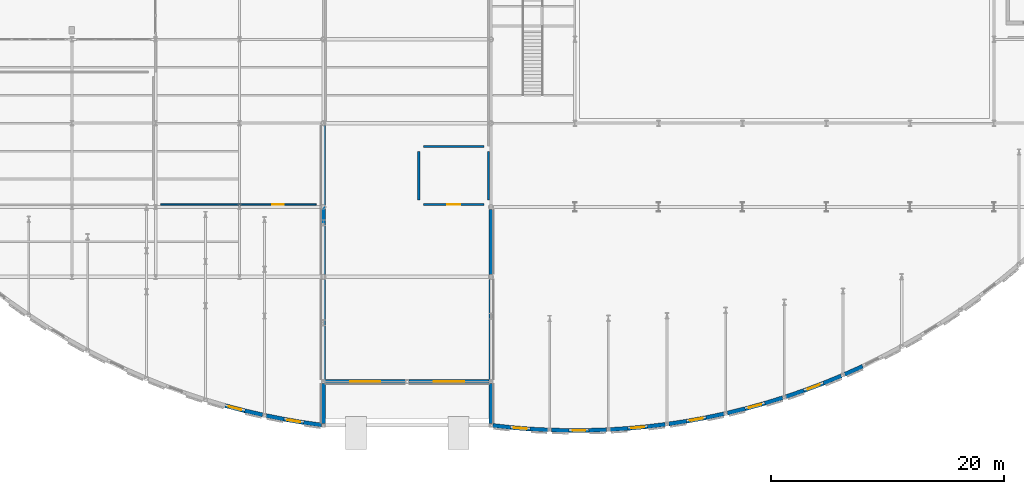
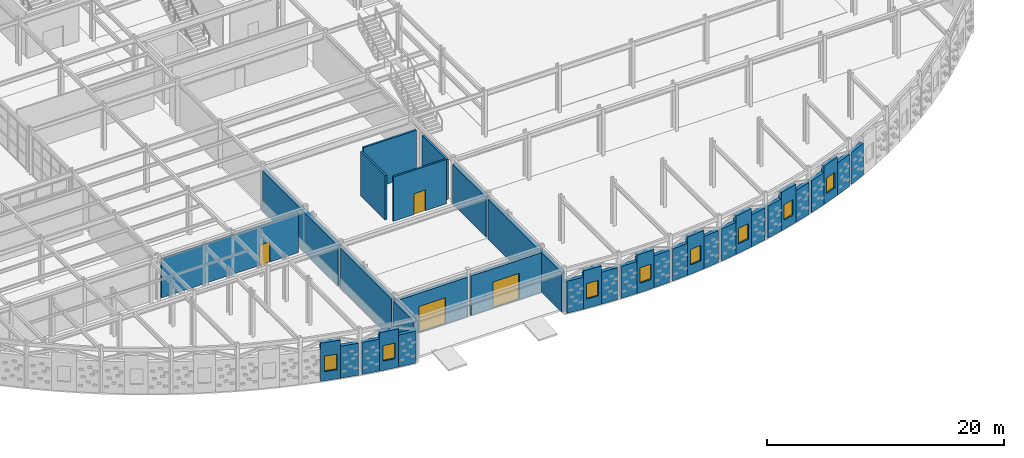
# One storey, part 57 of 83: 37 walls, 8 windows, 4 doors, 12 openings.
"""IFC4 building model written with IfcOpenShell, lengths in metres."""

from ifc_helpers import new_model, si_unit, direction, frame, frame_2d, origin, place, context, subcontext, project, spatial, rectangle, extrude, material, layer, layer_set, type_object, element, fill, save


model = new_model("IFC4")

# Units and contexts
model_context = context("Model", 3, precision=1e-05, world=origin(), true_north=direction((0.0, 1.0)))
body_context = subcontext(model_context, "Body", "Model", "MODEL_VIEW")
ifc_project = project(units=[si_unit("LENGTHUNIT", "METRE"), si_unit("AREAUNIT", "SQUARE_METRE"), si_unit("VOLUMEUNIT", "CUBIC_METRE"), si_unit("PLANEANGLEUNIT", "RADIAN"), si_unit("MASSUNIT", "GRAM", prefix="KILO")], contexts=[model_context])

# Site, building, storey
site_placement = place(None, origin())
site = spatial("IfcSite", under=ifc_project, at=site_placement, CompositionType="ELEMENT")
building_placement = place(site_placement, origin())
building = spatial("IfcBuilding", under=site, at=building_placement, Name="Solvadek Multi-Sports Hall", CompositionType="ELEMENT")
storey_placement = place(building_placement, origin())
storey = spatial("IfcBuildingStorey", under=building, at=storey_placement, Name="L00", CompositionType="ELEMENT", Elevation=0.0)

# Wall, opening, window
ifc_material_1 = material(Name="Fired Deccan terracotta brick masonry", Category="masonry")
ifc_layer_1 = layer(ifc_material_1, 0.35009765625, Name="Fired Deccan terracotta brick masonry")
ifc_layer_set_1 = layer_set([ifc_layer_1], Name="Fired Deccan terracotta brick masonry")
wall_type_1 = type_object("IfcWallType", Name="ENV-WAL-EXT350", PredefinedType="SOLIDWALL", material=ifc_layer_set_1)
wall_1_placement = place(storey_placement, frame((63.565673828125, -11.060791015625, 0.0), z_axis=(0.0, 0.0, 1.0), x_axis=(0.967183248543, -0.254079837329, 0.0)))
wall_1 = element("IfcWall", 1, at=wall_1_placement, inside=storey, type_object=wall_type_1, Name="L00 Crescent Terracotta Brick Base Wall #94", PredefinedType="SOLIDWALL", context=body_context, shape_type="SweptSolid", body=[
    extrude(rectangle(XDim=1.743896484375, YDim=0.35009765625, at=frame_2d((0.8720703125, 0.0))), origin(), (0.0, 0.0, 1.0), 3.949951171875),
])
opening_1_placement = place(wall_1_placement, frame((0.322021484375, 0.0, 0.949951171875)))
opening_1 = element("IfcOpeningElement", 2, at=opening_1_placement, cuts=wall_1, Name="Opening WN-25", PredefinedType="OPENING", context=body_context, shape_type="SweptSolid", body=[
    extrude(rectangle(XDim=1.10009765625, YDim=1.60009765625, at=frame_2d((0.550048828125, 0.800048828125))), frame((0.0, 0.18505859375, 0.0), z_axis=(0.0, -1.0, 0.0), x_axis=(1.0, 0.0, 0.0)), (0.0, 0.0, 1.0), 0.3701171875),
])
ifc_material_2 = material(Name="Tempered laminated low-E glass", Category="glass")
window_type = type_object("IfcWindowType", Name="ENV-WIN-WN-25", PartitioningType="SINGLE_PANEL", PredefinedType="WINDOW", material=ifc_material_2)
window_1_placement = place(opening_1_placement, origin())
window_1 = element("IfcWindow", 3, at=window_1_placement, inside=storey, type_object=window_type, Name="L00 Crescent Deep-Set Window #8", OverallHeight=1.60009765625, OverallWidth=1.10009765625, PartitioningType="SINGLE_PANEL", PredefinedType="WINDOW", context=body_context, shape_type="SweptSolid", body=[
    extrude(rectangle(XDim=1.10009765625, YDim=1.60009765625, at=frame_2d((0.550048828125, 0.800048828125))), frame((0.0, 0.030029296875, 0.0), z_axis=(0.0, -1.0, 0.0), x_axis=(1.0, 0.0, 0.0)), (0.0, 0.0, 1.0), 0.06005859375),
])
fill(opening_1, window_1)

# Walls
wall_2_placement = place(storey_placement, frame((65.25244140625, -11.50390625, 0.0), z_axis=(0.0, 0.0, 1.0), x_axis=(0.97431287932, -0.225198608326, 0.0)))
element("IfcWall", 4, at=wall_2_placement, inside=storey, type_object=wall_type_1, Name="L00 Crescent Terracotta Brick Base Wall #95", PredefinedType="SOLIDWALL", context=body_context, shape_type="SweptSolid", body=[
    extrude(rectangle(XDim=1.577392578125, YDim=0.35009765625, at=frame_2d((0.78857421875, 0.0))), origin(), (0.0, 0.0, 1.0), 3.300048828125),
])
wall_3_placement = place(storey_placement, frame((67.09033203125, -11.924072265625, 0.0), z_axis=(0.0, 0.0, 1.0), x_axis=(0.980556688886, -0.196236031046, 0.0)))
element("IfcWall", 5, at=wall_3_placement, inside=storey, type_object=wall_type_1, Name="L00 Crescent Terracotta Brick Base Wall #96", PredefinedType="SOLIDWALL", context=body_context, shape_type="SweptSolid", body=[
    extrude(rectangle(XDim=1.56640625, YDim=0.35009765625, at=frame_2d((0.783203125, 0.0))), origin(), (0.0, 0.0, 1.0), 3.300048828125),
])

# Wall, opening, window
wall_4_placement = place(storey_placement, frame((68.626220703125, -12.2314453125, 0.0), z_axis=(0.0, 0.0, 1.0), x_axis=(0.985915435639, -0.167244592643, 0.0)))
wall_4 = element("IfcWall", 6, at=wall_4_placement, inside=storey, type_object=wall_type_1, Name="L00 Crescent Terracotta Brick Base Wall #97", PredefinedType="SOLIDWALL", context=body_context, shape_type="SweptSolid", body=[
    extrude(rectangle(XDim=1.7109375, YDim=0.35009765625, at=frame_2d((0.85546875, 0.0))), origin(), (0.0, 0.0, 1.0), 3.949951171875),
])
opening_2_placement = place(wall_4_placement, frame((0.305419921875, 0.0, 0.949951171875)))
opening_2 = element("IfcOpeningElement", 7, at=opening_2_placement, cuts=wall_4, Name="Opening WN-25", PredefinedType="OPENING", context=body_context, shape_type="SweptSolid", body=[
    extrude(rectangle(XDim=1.10009765625, YDim=1.60009765625, at=frame_2d((0.550048828125, 0.800048828125))), frame((0.0, 0.18505859375, 0.0), z_axis=(0.0, -1.0, 0.0), x_axis=(1.0, 0.0, 0.0)), (0.0, 0.0, 1.0), 0.3701171875),
])
window_2_placement = place(opening_2_placement, origin())
window_2 = element("IfcWindow", 8, at=window_2_placement, inside=storey, type_object=window_type, Name="L00 Crescent Deep-Set Window #9", OverallHeight=1.60009765625, OverallWidth=1.10009765625, PartitioningType="SINGLE_PANEL", PredefinedType="WINDOW", context=body_context, shape_type="SweptSolid", body=[
    extrude(rectangle(XDim=1.10009765625, YDim=1.60009765625, at=frame_2d((0.550048828125, 0.800048828125))), frame((0.0, 0.030029296875, 0.0), z_axis=(0.0, -1.0, 0.0), x_axis=(1.0, 0.0, 0.0)), (0.0, 0.0, 1.0), 0.06005859375),
])
fill(opening_2, window_2)

# Walls
wall_5_placement = place(storey_placement, frame((70.31298828125, -12.517578125, 0.0), z_axis=(0.0, 0.0, 1.0), x_axis=(0.990404393771, -0.138199626625, 0.0)))
element("IfcWall", 9, at=wall_5_placement, inside=storey, type_object=wall_type_1, Name="L00 Crescent Terracotta Brick Base Wall #98", PredefinedType="SOLIDWALL", context=body_context, shape_type="SweptSolid", body=[
    extrude(rectangle(XDim=1.54931640625, YDim=0.35009765625, at=frame_2d((0.774658203125, 0.0))), origin(), (0.0, 0.0, 1.0), 3.300048828125),
])
wall_6_placement = place(storey_placement, frame((86.552978515625, -12.769775390625, 0.0), z_axis=(0.0, 0.0, 1.0), x_axis=(0.994022477676, -0.109175610258, 0.0)))
element("IfcWall", 10, at=wall_6_placement, inside=storey, type_object=wall_type_1, Name="L00 Crescent Terracotta Brick Base Wall #99", PredefinedType="SOLIDWALL", context=body_context, shape_type="SweptSolid", body=[
    extrude(rectangle(XDim=1.536376953125, YDim=0.35009765625, at=frame_2d((0.76806640625, 0.0))), origin(), (0.0, 0.0, 1.0), 3.300048828125),
])

# Wall, opening, window
wall_7_placement = place(storey_placement, frame((88.080078125, -12.9375, 0.0), z_axis=(0.0, 0.0, 1.0), x_axis=(0.996751400457, -0.080539714962, 0.0)))
wall_7 = element("IfcWall", 11, at=wall_7_placement, inside=storey, type_object=wall_type_1, Name="L00 Crescent Terracotta Brick Base Wall #100", PredefinedType="SOLIDWALL", context=body_context, shape_type="SweptSolid", body=[
    extrude(rectangle(XDim=1.685302734375, YDim=0.35009765625, at=frame_2d((0.8427734375, 0.0))), origin(), (0.0, 0.0, 1.0), 3.949951171875),
])
opening_3_placement = place(wall_7_placement, frame((0.292724609375, 0.0, 0.949951171875)))
opening_3 = element("IfcOpeningElement", 12, at=opening_3_placement, cuts=wall_7, Name="Opening WN-25", PredefinedType="OPENING", context=body_context, shape_type="SweptSolid", body=[
    extrude(rectangle(XDim=1.10009765625, YDim=1.60009765625, at=frame_2d((0.550048828125, 0.800048828125))), frame((0.0, 0.18505859375, 0.0), z_axis=(0.0, -1.0, 0.0), x_axis=(1.0, 0.0, 0.0)), (0.0, 0.0, 1.0), 0.3701171875),
])
window_3_placement = place(opening_3_placement, origin())
window_3 = element("IfcWindow", 13, at=window_3_placement, inside=storey, type_object=window_type, Name="L00 Crescent Deep-Set Window #10", OverallHeight=1.60009765625, OverallWidth=1.10009765625, PartitioningType="SINGLE_PANEL", PredefinedType="WINDOW", context=body_context, shape_type="SweptSolid", body=[
    extrude(rectangle(XDim=1.10009765625, YDim=1.60009765625, at=frame_2d((0.550048828125, 0.800048828125))), frame((0.0, 0.030029296875, 0.0), z_axis=(0.0, -1.0, 0.0), x_axis=(1.0, 0.0, 0.0)), (0.0, 0.0, 1.0), 0.06005859375),
])
fill(opening_3, window_3)

# Walls
wall_8_placement = place(storey_placement, frame((89.760009765625, -13.0732421875, 0.0), z_axis=(0.0, 0.0, 1.0), x_axis=(0.998667683368, -0.051602889414, 0.0)))
element("IfcWall", 14, at=wall_8_placement, inside=storey, type_object=wall_type_1, Name="L00 Crescent Terracotta Brick Base Wall #101", PredefinedType="SOLIDWALL", context=body_context, shape_type="SweptSolid", body=[
    extrude(rectangle(XDim=1.528076171875, YDim=0.35009765625, at=frame_2d((0.76416015625, 0.0))), origin(), (0.0, 0.0, 1.0), 3.300048828125),
])
wall_9_placement = place(storey_placement, frame((91.593994140625, -13.163330078125, 0.0), z_axis=(0.0, 0.0, 1.0), x_axis=(0.999742083188, -0.022710506449, 0.0)))
element("IfcWall", 15, at=wall_9_placement, inside=storey, type_object=wall_type_1, Name="L00 Crescent Terracotta Brick Base Wall #102", PredefinedType="SOLIDWALL", context=body_context, shape_type="SweptSolid", body=[
    extrude(rectangle(XDim=1.526611328125, YDim=0.35009765625, at=frame_2d((0.76318359375, 0.0))), origin(), (0.0, 0.0, 1.0), 3.300048828125),
])

# Wall, opening, window
wall_10_placement = place(storey_placement, frame((93.1201171875, -13.197998046875, 0.0), z_axis=(0.0, 0.0, 1.0), x_axis=(0.999980474998, 0.006248969688, 0.0)))
wall_10 = element("IfcWall", 16, at=wall_10_placement, inside=storey, type_object=wall_type_1, Name="L00 Crescent Terracotta Brick Base Wall #103", PredefinedType="SOLIDWALL", context=body_context, shape_type="SweptSolid", body=[
    extrude(rectangle(XDim=1.679931640625, YDim=0.35009765625, at=frame_2d((0.83984375, 0.0))), origin(), (0.0, 0.0, 1.0), 3.949951171875),
])
opening_4_placement = place(wall_10_placement, frame((0.2900390625, 0.0, 0.949951171875)))
opening_4 = element("IfcOpeningElement", 17, at=opening_4_placement, cuts=wall_10, Name="Opening WN-25", PredefinedType="OPENING", context=body_context, shape_type="SweptSolid", body=[
    extrude(rectangle(XDim=1.10009765625, YDim=1.60009765625, at=frame_2d((0.550048828125, 0.800048828125))), frame((0.0, 0.18505859375, 0.0), z_axis=(0.0, -1.0, 0.0), x_axis=(1.0, 0.0, 0.0)), (0.0, 0.0, 1.0), 0.3701171875),
])
window_4_placement = place(opening_4_placement, origin())
window_4 = element("IfcWindow", 18, at=window_4_placement, inside=storey, type_object=window_type, Name="L00 Crescent Deep-Set Window #11", OverallHeight=1.60009765625, OverallWidth=1.10009765625, PartitioningType="SINGLE_PANEL", PredefinedType="WINDOW", context=body_context, shape_type="SweptSolid", body=[
    extrude(rectangle(XDim=1.10009765625, YDim=1.60009765625, at=frame_2d((0.550048828125, 0.800048828125))), frame((0.0, 0.030029296875, 0.0), z_axis=(0.0, -1.0, 0.0), x_axis=(1.0, 0.0, 0.0)), (0.0, 0.0, 1.0), 0.06005859375),
])
fill(opening_4, window_4)

# Walls
wall_11_placement = place(storey_placement, frame((94.800048828125, -13.1875, 0.0), z_axis=(0.0, 0.0, 1.0), x_axis=(0.999386859974, 0.035012913507, 0.0)))
element("IfcWall", 19, at=wall_11_placement, inside=storey, type_object=wall_type_1, Name="L00 Crescent Terracotta Brick Base Wall #104", PredefinedType="SOLIDWALL", context=body_context, shape_type="SweptSolid", body=[
    extrude(rectangle(XDim=1.527099609375, YDim=0.35009765625, at=frame_2d((0.763671875, 0.0))), origin(), (0.0, 0.0, 1.0), 3.300048828125),
])
wall_12_placement = place(storey_placement, frame((96.6337890625, -13.118896484375, 0.0), z_axis=(0.0, 0.0, 1.0), x_axis=(0.997948734524, 0.064018147903, 0.0)))
element("IfcWall", 20, at=wall_12_placement, inside=storey, type_object=wall_type_1, Name="L00 Crescent Terracotta Brick Base Wall #105", PredefinedType="SOLIDWALL", context=body_context, shape_type="SweptSolid", body=[
    extrude(rectangle(XDim=1.529296875, YDim=0.35009765625, at=frame_2d((0.7646484375, 0.0))), origin(), (0.0, 0.0, 1.0), 3.300048828125),
])

# Wall, opening, window
wall_13_placement = place(storey_placement, frame((98.159912109375, -13.02099609375, 0.0), z_axis=(0.0, 0.0, 1.0), x_axis=(0.995690348422, 0.09274012109, 0.0)))
wall_13 = element("IfcWall", 21, at=wall_13_placement, inside=storey, type_object=wall_type_1, Name="L00 Crescent Terracotta Brick Base Wall #106", PredefinedType="SOLIDWALL", context=body_context, shape_type="SweptSolid", body=[
    extrude(rectangle(XDim=1.6875, YDim=0.35009765625, at=frame_2d((0.84375, 0.0))), origin(), (0.0, 0.0, 1.0), 3.949951171875),
])
opening_5_placement = place(wall_13_placement, frame((0.293701171875, 0.0, 0.949951171875)))
opening_5 = element("IfcOpeningElement", 22, at=opening_5_placement, cuts=wall_13, Name="Opening WN-25", PredefinedType="OPENING", context=body_context, shape_type="SweptSolid", body=[
    extrude(rectangle(XDim=1.10009765625, YDim=1.60009765625, at=frame_2d((0.550048828125, 0.800048828125))), frame((0.0, 0.18505859375, 0.0), z_axis=(0.0, -1.0, 0.0), x_axis=(1.0, 0.0, 0.0)), (0.0, 0.0, 1.0), 0.3701171875),
])
window_5_placement = place(opening_5_placement, origin())
window_5 = element("IfcWindow", 23, at=window_5_placement, inside=storey, type_object=window_type, Name="L00 Crescent Deep-Set Window #12", OverallHeight=1.60009765625, OverallWidth=1.10009765625, PartitioningType="SINGLE_PANEL", PredefinedType="WINDOW", context=body_context, shape_type="SweptSolid", body=[
    extrude(rectangle(XDim=1.10009765625, YDim=1.60009765625, at=frame_2d((0.550048828125, 0.800048828125))), frame((0.0, 0.030029296875, 0.0), z_axis=(0.0, -1.0, 0.0), x_axis=(1.0, 0.0, 0.0)), (0.0, 0.0, 1.0), 0.06005859375),
])
fill(opening_5, window_5)

# Walls
wall_14_placement = place(storey_placement, frame((99.840087890625, -12.864501953125, 0.0), z_axis=(0.0, 0.0, 1.0), x_axis=(0.992565667942, 0.121710290537, 0.0)))
element("IfcWall", 24, at=wall_14_placement, inside=storey, type_object=wall_type_1, Name="L00 Crescent Terracotta Brick Base Wall #107", PredefinedType="SOLIDWALL", context=body_context, shape_type="SweptSolid", body=[
    extrude(rectangle(XDim=1.53857421875, YDim=0.35009765625, at=frame_2d((0.769287109375, 0.0))), origin(), (0.0, 0.0, 1.0), 3.300048828125),
])
wall_15_placement = place(storey_placement, frame((101.672119140625, -12.635498046875, 0.0), z_axis=(0.0, 0.0, 1.0), x_axis=(0.988602486831, 0.150549403955, 0.0)))
element("IfcWall", 25, at=wall_15_placement, inside=storey, type_object=wall_type_1, Name="L00 Crescent Terracotta Brick Base Wall #108", PredefinedType="SOLIDWALL", context=body_context, shape_type="SweptSolid", body=[
    extrude(rectangle(XDim=1.54541015625, YDim=0.35009765625, at=frame_2d((0.772705078125, 0.0))), origin(), (0.0, 0.0, 1.0), 3.300048828125),
])

# Wall, opening, window
wall_16_placement = place(storey_placement, frame((103.199951171875, -12.40283203125, 0.0), z_axis=(0.0, 0.0, 1.0), x_axis=(0.98377139852, 0.179426406793, 0.0)))
wall_16 = element("IfcWall", 26, at=wall_16_placement, inside=storey, type_object=wall_type_1, Name="L00 Crescent Terracotta Brick Base Wall #109", PredefinedType="SOLIDWALL", context=body_context, shape_type="SweptSolid", body=[
    extrude(rectangle(XDim=1.707763671875, YDim=0.35009765625, at=frame_2d((0.85400390625, 0.0))), origin(), (0.0, 0.0, 1.0), 3.949951171875),
])
opening_6_placement = place(wall_16_placement, frame((0.303955078125, 0.0, 0.949951171875)))
opening_6 = element("IfcOpeningElement", 27, at=opening_6_placement, cuts=wall_16, Name="Opening WN-25", PredefinedType="OPENING", context=body_context, shape_type="SweptSolid", body=[
    extrude(rectangle(XDim=1.10009765625, YDim=1.60009765625, at=frame_2d((0.550048828125, 0.800048828125))), frame((0.0, 0.18505859375, 0.0), z_axis=(0.0, -1.0, 0.0), x_axis=(1.0, 0.0, 0.0)), (0.0, 0.0, 1.0), 0.3701171875),
])
window_6_placement = place(opening_6_placement, origin())
window_6 = element("IfcWindow", 28, at=window_6_placement, inside=storey, type_object=window_type, Name="L00 Crescent Deep-Set Window #13", OverallHeight=1.60009765625, OverallWidth=1.10009765625, PartitioningType="SINGLE_PANEL", PredefinedType="WINDOW", context=body_context, shape_type="SweptSolid", body=[
    extrude(rectangle(XDim=1.10009765625, YDim=1.60009765625, at=frame_2d((0.550048828125, 0.800048828125))), frame((0.0, 0.030029296875, 0.0), z_axis=(0.0, -1.0, 0.0), x_axis=(1.0, 0.0, 0.0)), (0.0, 0.0, 1.0), 0.06005859375),
])
fill(opening_6, window_6)

# Walls
wall_17_placement = place(storey_placement, frame((104.8798828125, -12.096435546875, 0.0), z_axis=(0.0, 0.0, 1.0), x_axis=(0.978073463131, 0.208260175549, 0.0)))
element("IfcWall", 29, at=wall_17_placement, inside=storey, type_object=wall_type_1, Name="L00 Crescent Terracotta Brick Base Wall #110", PredefinedType="SOLIDWALL", context=body_context, shape_type="SweptSolid", body=[
    extrude(rectangle(XDim=1.563720703125, YDim=0.35009765625, at=frame_2d((0.78173828125, 0.0))), origin(), (0.0, 0.0, 1.0), 3.300048828125),
])
wall_18_placement = place(storey_placement, frame((106.709716796875, -11.7021484375, 0.0), z_axis=(0.0, 0.0, 1.0), x_axis=(0.971476810354, 0.237134575597, 0.0)))
element("IfcWall", 30, at=wall_18_placement, inside=storey, type_object=wall_type_1, Name="L00 Crescent Terracotta Brick Base Wall #111", PredefinedType="SOLIDWALL", context=body_context, shape_type="SweptSolid", body=[
    extrude(rectangle(XDim=1.5751953125, YDim=0.35009765625, at=frame_2d((0.78759765625, 0.0))), origin(), (0.0, 0.0, 1.0), 3.300048828125),
])

# Wall, opening, window
wall_19_placement = place(storey_placement, frame((108.239990234375, -11.32861328125, 0.0), z_axis=(0.0, 0.0, 1.0), x_axis=(0.963964130147, 0.266032245771, 0.0)))
wall_19 = element("IfcWall", 31, at=wall_19_placement, inside=storey, type_object=wall_type_1, Name="L00 Crescent Terracotta Brick Base Wall #112", PredefinedType="SOLIDWALL", context=body_context, shape_type="SweptSolid", body=[
    extrude(rectangle(XDim=1.74267578125, YDim=0.35009765625, at=frame_2d((0.871337890625, 0.0))), origin(), (0.0, 0.0, 1.0), 3.949951171875),
])
opening_7_placement = place(wall_19_placement, frame((0.3212890625, 0.0, 0.949951171875)))
opening_7 = element("IfcOpeningElement", 32, at=opening_7_placement, cuts=wall_19, Name="Opening WN-25", PredefinedType="OPENING", context=body_context, shape_type="SweptSolid", body=[
    extrude(rectangle(XDim=1.10009765625, YDim=1.60009765625, at=frame_2d((0.550048828125, 0.800048828125))), frame((0.0, 0.18505859375, 0.0), z_axis=(0.0, -1.0, 0.0), x_axis=(1.0, 0.0, 0.0)), (0.0, 0.0, 1.0), 0.3701171875),
])
window_7_placement = place(opening_7_placement, origin())
window_7 = element("IfcWindow", 33, at=window_7_placement, inside=storey, type_object=window_type, Name="L00 Crescent Deep-Set Window #14", OverallHeight=1.60009765625, OverallWidth=1.10009765625, PartitioningType="SINGLE_PANEL", PredefinedType="WINDOW", context=body_context, shape_type="SweptSolid", body=[
    extrude(rectangle(XDim=1.10009765625, YDim=1.60009765625, at=frame_2d((0.550048828125, 0.800048828125))), frame((0.0, 0.030029296875, 0.0), z_axis=(0.0, -1.0, 0.0), x_axis=(1.0, 0.0, 0.0)), (0.0, 0.0, 1.0), 0.06005859375),
])
fill(opening_7, window_7)

# Walls
wall_20_placement = place(storey_placement, frame((109.919921875, -10.864990234375, 0.0), z_axis=(0.0, 0.0, 1.0), x_axis=(0.955521999612, 0.294919833612, 0.0)))
element("IfcWall", 34, at=wall_20_placement, inside=storey, type_object=wall_type_1, Name="L00 Crescent Terracotta Brick Base Wall #113", PredefinedType="SOLIDWALL", context=body_context, shape_type="SweptSolid", body=[
    extrude(rectangle(XDim=1.604248046875, YDim=0.35009765625, at=frame_2d((0.80224609375, 0.0))), origin(), (0.0, 0.0, 1.0), 3.300048828125),
])
wall_21_placement = place(storey_placement, frame((111.74560546875, -10.296630859375, 0.0), z_axis=(0.0, 0.0, 1.0), x_axis=(0.946170051353, 0.323669945968, 0.0)))
element("IfcWall", 35, at=wall_21_placement, inside=storey, type_object=wall_type_1, Name="L00 Crescent Terracotta Brick Base Wall #114", PredefinedType="SOLIDWALL", context=body_context, shape_type="SweptSolid", body=[
    extrude(rectangle(XDim=1.621826171875, YDim=0.35009765625, at=frame_2d((0.81103515625, 0.0))), origin(), (0.0, 0.0, 1.0), 3.300048828125),
])

# Wall, opening, window
wall_22_placement = place(storey_placement, frame((113.280029296875, -9.771728515625, 0.0), z_axis=(0.0, 0.0, 1.0), x_axis=(0.935763506188, 0.352628218507, 0.0)))
wall_22 = element("IfcWall", 36, at=wall_22_placement, inside=storey, type_object=wall_type_1, Name="L00 Crescent Terracotta Brick Base Wall #115", PredefinedType="SOLIDWALL", context=body_context, shape_type="SweptSolid", body=[
    extrude(rectangle(XDim=1.795166015625, YDim=0.35009765625, at=frame_2d((0.8974609375, 0.0))), origin(), (0.0, 0.0, 1.0), 3.949951171875),
])
opening_8_placement = place(wall_22_placement, frame((0.34765625, 0.0, 0.949951171875)))
opening_8 = element("IfcOpeningElement", 37, at=opening_8_placement, cuts=wall_22, Name="Opening WN-25", PredefinedType="OPENING", context=body_context, shape_type="SweptSolid", body=[
    extrude(rectangle(XDim=1.10009765625, YDim=1.60009765625, at=frame_2d((0.550048828125, 0.800048828125))), frame((0.0, 0.18505859375, 0.0), z_axis=(0.0, -1.0, 0.0), x_axis=(1.0, 0.0, 0.0)), (0.0, 0.0, 1.0), 0.3701171875),
])
window_8_placement = place(opening_8_placement, origin())
window_8 = element("IfcWindow", 38, at=window_8_placement, inside=storey, type_object=window_type, Name="L00 Crescent Deep-Set Window #15", OverallHeight=1.60009765625, OverallWidth=1.10009765625, PartitioningType="SINGLE_PANEL", PredefinedType="WINDOW", context=body_context, shape_type="SweptSolid", body=[
    extrude(rectangle(XDim=1.10009765625, YDim=1.60009765625, at=frame_2d((0.550048828125, 0.800048828125))), frame((0.0, 0.030029296875, 0.0), z_axis=(0.0, -1.0, 0.0), x_axis=(1.0, 0.0, 0.0)), (0.0, 0.0, 1.0), 0.06005859375),
])
fill(opening_8, window_8)

# Walls
wall_23_placement = place(storey_placement, frame((114.9599609375, -9.138671875, 0.0), z_axis=(0.0, 0.0, 1.0), x_axis=(0.924331209245, 0.381591162915, 0.0)))
element("IfcWall", 39, at=wall_23_placement, inside=storey, type_object=wall_type_1, Name="L00 Crescent Terracotta Brick Base Wall #116", PredefinedType="SOLIDWALL", context=body_context, shape_type="SweptSolid", body=[
    extrude(rectangle(XDim=1.66357421875, YDim=0.35009765625, at=frame_2d((0.831787109375, 0.0))), origin(), (0.0, 0.0, 1.0), 3.300048828125),
])
wall_24_placement = place(storey_placement, frame((116.780517578125, -8.382080078125, 0.0), z_axis=(0.0, 0.0, 1.0), x_axis=(0.911905269755, 0.410400754133, 0.0)))
element("IfcWall", 40, at=wall_24_placement, inside=storey, type_object=wall_type_1, Name="L00 Crescent Terracotta Brick Base Wall #117", PredefinedType="SOLIDWALL", context=body_context, shape_type="SweptSolid", body=[
    extrude(rectangle(XDim=1.688232421875, YDim=0.35009765625, at=frame_2d((0.84423828125, 0.0))), origin(), (0.0, 0.0, 1.0), 3.300048828125),
])

# Wall, opening, door
wall_25_placement = place(storey_placement, frame((72.154052734375, -9.0, 0.0), z_axis=(0.0, 0.0, 1.0), x_axis=(1.0, 0.0, 0.0)))
wall_25 = element("IfcWall", 41, at=wall_25_placement, inside=storey, type_object=wall_type_1, Name="L00 Exterior Masonry Wall #211", PredefinedType="SOLIDWALL", context=body_context, shape_type="SweptSolid", body=[
    extrude(rectangle(XDim=6.891845703125, YDim=0.35009765625, at=frame_2d((3.44580078125, 0.0))), origin(), (0.0, 0.0, 1.0), 4.06494140625),
])
opening_9_placement = place(wall_25_placement, frame((2.14599609375, 0.0, 0.0)))
opening_9 = element("IfcOpeningElement", 42, at=opening_9_placement, cuts=wall_25, Name="Opening D-EX10", PredefinedType="OPENING", context=body_context, shape_type="SweptSolid", body=[
    extrude(rectangle(XDim=2.60009765625, YDim=2.699951171875, at=frame_2d((1.300048828125, 1.35009765625))), frame((0.0, 0.18505859375, 0.0), z_axis=(0.0, -1.0, 0.0), x_axis=(1.0, 0.0, 0.0)), (0.0, 0.0, 1.0), 0.3701171875),
])
ifc_material_3 = material(Name="Anodised aluminium", Category="aluminium")
door_type_1 = type_object("IfcDoorType", Name="ENV-DOR-EX260X270", OperationType="DOUBLE_DOOR_SINGLE_SWING", PredefinedType="DOOR", material=ifc_material_3)
door_1_placement = place(opening_9_placement, frame((2.60009765625, 0.0, 0.0), z_axis=(0.0, 0.0, 1.0), x_axis=(-1.0, 0.0, 0.0)))
door_1 = element("IfcDoor", 43, at=door_1_placement, inside=storey, type_object=door_type_1, Name="Main Foyer Final Exit Door D-EX10", OperationType="DOUBLE_DOOR_SINGLE_SWING", OverallHeight=2.699951171875, OverallWidth=2.60009765625, PredefinedType="DOOR", context=body_context, shape_type="SweptSolid", body=[
    extrude(rectangle(XDim=2.60009765625, YDim=2.699951171875, at=frame_2d((1.300048828125, 1.35009765625))), frame((0.0, 0.02490234375, 0.0), z_axis=(0.0, -1.0, 0.0), x_axis=(1.0, 0.0, 0.0)), (0.0, 0.0, 1.0), 0.050048828125),
])
fill(opening_9, door_1)

wall_26_placement = place(storey_placement, frame((79.35400390625, -9.0, 0.0), z_axis=(0.0, 0.0, 1.0), x_axis=(1.0, 0.0, 0.0)))
wall_26 = element("IfcWall", 44, at=wall_26_placement, inside=storey, type_object=wall_type_1, Name="L00 Exterior Masonry Wall #212", PredefinedType="SOLIDWALL", context=body_context, shape_type="SweptSolid", body=[
    extrude(rectangle(XDim=6.89208984375, YDim=0.35009765625, at=frame_2d((3.446044921875, 0.0))), origin(), (0.0, 0.0, 1.0), 4.06494140625),
])
opening_10_placement = place(wall_26_placement, frame((2.14599609375, 0.0, 0.0)))
opening_10 = element("IfcOpeningElement", 45, at=opening_10_placement, cuts=wall_26, Name="Opening D-EX11", PredefinedType="OPENING", context=body_context, shape_type="SweptSolid", body=[
    extrude(rectangle(XDim=2.60009765625, YDim=2.699951171875, at=frame_2d((1.300048828125, 1.35009765625))), frame((0.0, 0.18505859375, 0.0), z_axis=(0.0, -1.0, 0.0), x_axis=(1.0, 0.0, 0.0)), (0.0, 0.0, 1.0), 0.3701171875),
])
door_2_placement = place(opening_10_placement, frame((2.60009765625, 0.0, 0.0), z_axis=(0.0, 0.0, 1.0), x_axis=(-1.0, 0.0, 0.0)))
door_2 = element("IfcDoor", 46, at=door_2_placement, inside=storey, type_object=door_type_1, Name="Main Foyer Final Exit Door D-EX11", OperationType="DOUBLE_DOOR_SINGLE_SWING", OverallHeight=2.699951171875, OverallWidth=2.60009765625, PredefinedType="DOOR", context=body_context, shape_type="SweptSolid", body=[
    extrude(rectangle(XDim=2.60009765625, YDim=2.699951171875, at=frame_2d((1.300048828125, 1.35009765625))), frame((0.0, 0.02490234375, 0.0), z_axis=(0.0, -1.0, 0.0), x_axis=(1.0, 0.0, 0.0)), (0.0, 0.0, 1.0), 0.050048828125),
])
fill(opening_10, door_2)

# Walls
wall_27_placement = place(storey_placement, frame((72.0, -12.598876953125, 0.0), z_axis=(0.0, 0.0, 1.0), x_axis=(0.0, 1.0, 0.0)))
element("IfcWall", 47, at=wall_27_placement, inside=storey, type_object=wall_type_1, Name="L00 Exterior Masonry Wall #213", PredefinedType="SOLIDWALL", context=body_context, shape_type="SweptSolid", body=[
    extrude(rectangle(XDim=3.44482421875, YDim=0.35009765625, at=frame_2d((1.722412109375, 0.0))), origin(), (0.0, 0.0, 1.0), 4.114990234375),
])
wall_28_placement = place(storey_placement, frame((72.0, -8.845947265625, 0.0), z_axis=(0.0, 0.0, 1.0), x_axis=(0.0, 1.0, 0.0)))
element("IfcWall", 48, at=wall_28_placement, inside=storey, type_object=wall_type_1, Name="L00 Exterior Masonry Wall #214", PredefinedType="SOLIDWALL", context=body_context, shape_type="SweptSolid", body=[
    extrude(rectangle(XDim=8.638671875, YDim=0.35009765625, at=frame_2d((4.3193359375, 0.0))), origin(), (0.0, 0.0, 1.0), 4.114990234375),
])
wall_29_placement = place(storey_placement, frame((72.0, 0.207275390625, 0.0), z_axis=(0.0, 0.0, 1.0), x_axis=(0.0, 1.0, 0.0)))
element("IfcWall", 49, at=wall_29_placement, inside=storey, type_object=wall_type_1, Name="L00 Exterior Masonry Wall #217", PredefinedType="SOLIDWALL", context=body_context, shape_type="SweptSolid", body=[
    extrude(rectangle(XDim=12.78564453125, YDim=0.35009765625, at=frame_2d((6.392822265625, 0.0))), origin(), (0.0, 0.0, 1.0), 4.114990234375),
])
wall_30_placement = place(storey_placement, frame((86.39990234375, -12.598876953125, 0.0), z_axis=(0.0, 0.0, 1.0), x_axis=(0.0, 1.0, 0.0)))
element("IfcWall", 50, at=wall_30_placement, inside=storey, type_object=wall_type_1, Name="L00 Exterior Masonry Wall #220", PredefinedType="SOLIDWALL", context=body_context, shape_type="SweptSolid", body=[
    extrude(rectangle(XDim=3.44482421875, YDim=0.35009765625, at=frame_2d((1.722412109375, 0.0))), origin(), (0.0, 0.0, 1.0), 4.114990234375),
])
wall_31_placement = place(storey_placement, frame((86.39990234375, -8.845947265625, 0.0), z_axis=(0.0, 0.0, 1.0), x_axis=(0.0, 1.0, 0.0)))
element("IfcWall", 51, at=wall_31_placement, inside=storey, type_object=wall_type_1, Name="L00 Exterior Masonry Wall #221", PredefinedType="SOLIDWALL", context=body_context, shape_type="SweptSolid", body=[
    extrude(rectangle(XDim=8.638671875, YDim=0.35009765625, at=frame_2d((4.3193359375, 0.0))), origin(), (0.0, 0.0, 1.0), 4.114990234375),
])
wall_32_placement = place(storey_placement, frame((86.39990234375, 0.207275390625, 0.0), z_axis=(0.0, 0.0, 1.0), x_axis=(0.0, 1.0, 0.0)))
element("IfcWall", 52, at=wall_32_placement, inside=storey, type_object=wall_type_1, Name="L00 Exterior Masonry Wall #224", PredefinedType="SOLIDWALL", context=body_context, shape_type="SweptSolid", body=[
    extrude(rectangle(XDim=5.58544921875, YDim=0.35009765625, at=frame_2d((2.792724609375, 0.0))), origin(), (0.0, 0.0, 1.0), 4.114990234375),
])

# Wall, opening, door
ifc_material_4 = material(Name="Autoclaved aerated concrete blockwork", Category="masonry")
ifc_layer_2 = layer(ifc_material_4, 0.135009765625, Name="Autoclaved aerated concrete blockwork")
ifc_layer_set_2 = layer_set([ifc_layer_2], Name="Autoclaved aerated concrete blockwork")
wall_type_2 = type_object("IfcWallType", Name="INT-WAL-PRT135", PredefinedType="PARTITIONING", material=ifc_layer_set_2)
wall_33_placement = place(storey_placement, frame((58.02001953125, 6.199951171875, 0.0), z_axis=(0.0, 0.0, 1.0), x_axis=(1.0, 0.0, 0.0)))
wall_33 = element("IfcWall", 53, at=wall_33_placement, inside=storey, type_object=wall_type_2, Name="L00 Partition Wall L00-22 S", PredefinedType="PARTITIONING", context=body_context, shape_type="SweptSolid", body=[
    extrude(rectangle(XDim=13.35986328125, YDim=0.135009765625, at=frame_2d((6.679931640625, 0.0))), origin(), (0.0, 0.0, 1.0), 4.06005859375),
])
opening_11_placement = place(wall_33_placement, frame((9.580078125, 0.0, 0.0)))
opening_11 = element("IfcOpeningElement", 54, at=opening_11_placement, cuts=wall_33, Name="Opening D-01", PredefinedType="OPENING", context=body_context, shape_type="SweptSolid", body=[
    extrude(rectangle(XDim=1.0, YDim=2.10009765625, at=frame_2d((0.5, 1.050048828125))), frame((0.0, 0.077392578125, 0.0), z_axis=(0.0, -1.0, 0.0), x_axis=(1.0, 0.0, 0.0)), (0.0, 0.0, 1.0), 0.155029296875),
])
ifc_material_5 = material(Name="Teak hardwood timber", Category="wood")
door_type_2 = type_object("IfcDoorType", Name="INT-DOR-RM100X210", OperationType="NOTDEFINED", PredefinedType="DOOR", material=ifc_material_5)
door_3_placement = place(opening_11_placement, origin())
door_3 = element("IfcDoor", 55, at=door_3_placement, inside=storey, type_object=door_type_2, Name="L00 L00-22 Door #36", OperationType="SINGLE_SWING_LEFT", OverallHeight=2.10009765625, OverallWidth=1.0, PredefinedType="DOOR", context=body_context, shape_type="SweptSolid", body=[
    extrude(rectangle(XDim=1.0, YDim=2.10009765625, at=frame_2d((0.5, 1.050048828125))), frame((0.0, 0.02490234375, 0.0), z_axis=(0.0, -1.0, 0.0), x_axis=(1.0, 0.0, 0.0)), (0.0, 0.0, 1.0), 0.050048828125),
])
fill(opening_11, door_3)

ifc_layer_3 = layer(ifc_material_4, 0.179931640625, Name="Autoclaved aerated concrete blockwork")
ifc_layer_set_3 = layer_set([ifc_layer_3], Name="Autoclaved aerated concrete blockwork")
wall_type_3 = type_object("IfcWallType", Name="INT-WAL-PRT180", PredefinedType="PARTITIONING", material=ifc_layer_set_3)
wall_34_placement = place(storey_placement, frame((80.6201171875, 6.199951171875, 0.0), z_axis=(0.0, 0.0, 1.0), x_axis=(1.0, 0.0, 0.0)))
wall_34 = element("IfcWall", 56, at=wall_34_placement, inside=storey, type_object=wall_type_3, Name="L00 Partition Wall L00-10 S", PredefinedType="PARTITIONING", context=body_context, shape_type="SweptSolid", body=[
    extrude(rectangle(XDim=5.159912109375, YDim=0.179931640625, at=frame_2d((2.580078125, 0.0))), origin(), (0.0, 0.0, 1.0), 4.56494140625),
])
opening_12_placement = place(wall_34_placement, frame((2.030029296875, 0.0, 0.0)))
opening_12 = element("IfcOpeningElement", 57, at=opening_12_placement, cuts=wall_34, Name="Opening FD60", PredefinedType="OPENING", context=body_context, shape_type="SweptSolid", body=[
    extrude(rectangle(XDim=1.10009765625, YDim=2.14990234375, at=frame_2d((0.550048828125, 1.074951171875))), frame((0.0, 0.099853515625, 0.0), z_axis=(0.0, -1.0, 0.0), x_axis=(1.0, 0.0, 0.0)), (0.0, 0.0, 1.0), 0.199951171875),
])
ifc_material_6 = material(Name="Steel E250 (250 MPa)", Category="steel")
door_type_3 = type_object("IfcDoorType", Name="INT-DOR-FD110X215", OperationType="NOTDEFINED", PredefinedType="DOOR", material=ifc_material_6)
door_4_placement = place(opening_12_placement, origin())
door_4 = element("IfcDoor", 58, at=door_4_placement, inside=storey, type_object=door_type_3, Name="L00 L00-10 Door #26", OperationType="SINGLE_SWING_LEFT", OverallHeight=2.14990234375, OverallWidth=1.10009765625, PredefinedType="DOOR", context=body_context, shape_type="SweptSolid", body=[
    extrude(rectangle(XDim=1.10009765625, YDim=2.14990234375, at=frame_2d((0.550048828125, 1.074951171875))), frame((0.0, 0.02490234375, 0.0), z_axis=(0.0, -1.0, 0.0), x_axis=(1.0, 0.0, 0.0)), (0.0, 0.0, 1.0), 0.050048828125),
])
fill(opening_12, door_4)

# Walls
wall_35_placement = place(storey_placement, frame((80.6201171875, 11.199951171875, 0.0), z_axis=(0.0, 0.0, 1.0), x_axis=(1.0, 0.0, 0.0)))
element("IfcWall", 59, at=wall_35_placement, inside=storey, type_object=wall_type_3, Name="L00 Partition Wall L00-10 N", PredefinedType="PARTITIONING", context=body_context, shape_type="SweptSolid", body=[
    extrude(rectangle(XDim=5.159912109375, YDim=0.179931640625, at=frame_2d((2.580078125, 0.0))), origin(), (0.0, 0.0, 1.0), 4.56494140625),
])
wall_36_placement = place(storey_placement, frame((80.199951171875, 6.6201171875, 0.0), z_axis=(0.0, 0.0, 1.0), x_axis=(0.0, 1.0, 0.0)))
element("IfcWall", 60, at=wall_36_placement, inside=storey, type_object=wall_type_3, Name="L00 Partition Wall L00-10 W", PredefinedType="PARTITIONING", context=body_context, shape_type="SweptSolid", body=[
    extrude(rectangle(XDim=4.159912109375, YDim=0.179931640625, at=frame_2d((2.080078125, 0.0))), origin(), (0.0, 0.0, 1.0), 4.56494140625),
])
wall_37_placement = place(storey_placement, frame((86.199951171875, 6.6201171875, 0.0), z_axis=(0.0, 0.0, 1.0), x_axis=(0.0, 1.0, 0.0)))
element("IfcWall", 61, at=wall_37_placement, inside=storey, type_object=wall_type_3, Name="L00 Partition Wall L00-10 E", PredefinedType="PARTITIONING", context=body_context, shape_type="SweptSolid", body=[
    extrude(rectangle(XDim=4.159912109375, YDim=0.179931640625, at=frame_2d((2.080078125, 0.0))), origin(), (0.0, 0.0, 1.0), 4.110107421875),
])

save(model, "model.ifc")
